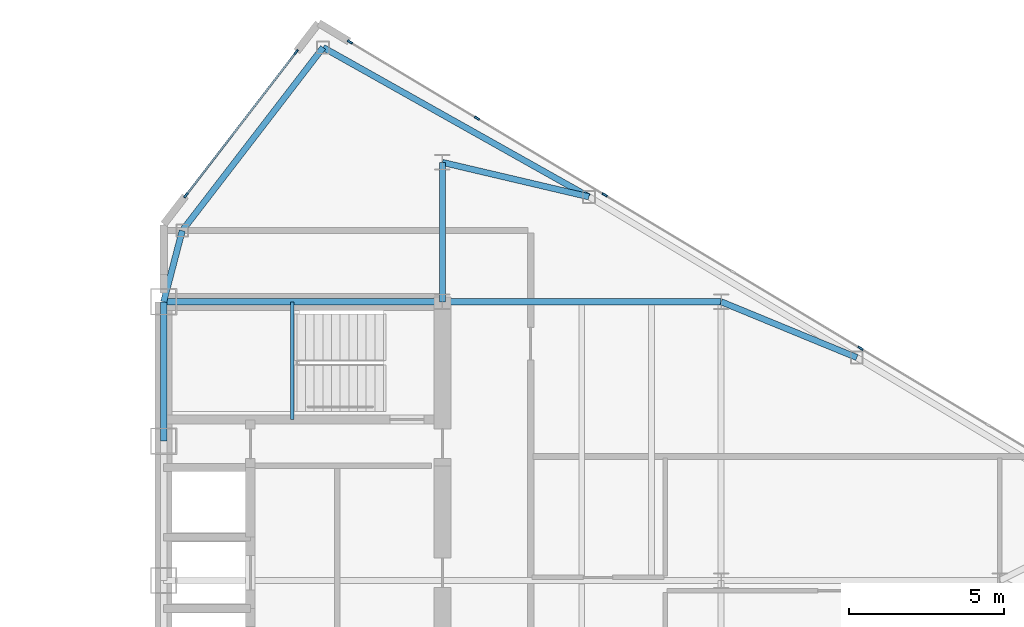
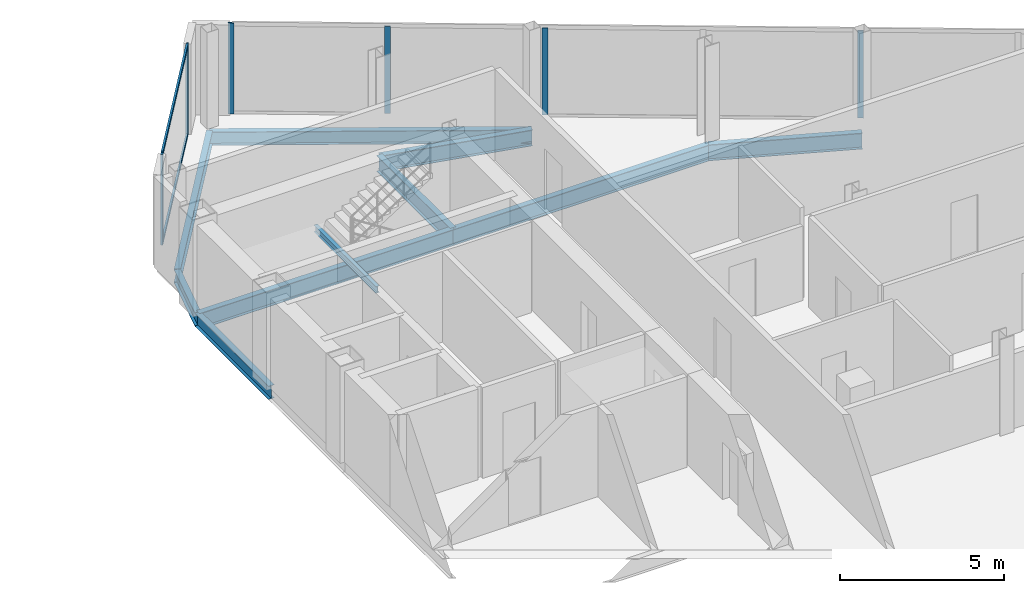
# One storey, part 15 of 25: 10 beams, 8 members, 2 elements without a shape of their own.
"""IFC4 building model written with IfcOpenShell, lengths in metres."""

from ifc_helpers import new_model, si_unit, direction, frame, origin, origin_2d, place, context, subcontext, project, spatial, rectangle, i_section, extrude, source, transform, mapped, material, layer, layer_set, material_profile, profile_set, type_object, type_shapes, element, aggregate, save


model = new_model("IFC4")

# Units and contexts
model_context = context("Model", 3, precision=1e-05, world=origin(), true_north=direction((0.0, 1.0)))
body_context = subcontext(model_context, "Body", "Model", "MODEL_VIEW")
ifc_project = project(units=[si_unit("LENGTHUNIT", "METRE"), si_unit("AREAUNIT", "SQUARE_METRE"), si_unit("VOLUMEUNIT", "CUBIC_METRE"), si_unit("PLANEANGLEUNIT", "RADIAN"), si_unit("MASSUNIT", "GRAM", prefix="KILO")], contexts=[model_context])

# Site, building, storey
site_placement = place(None, origin())
site = spatial("IfcSite", under=ifc_project, at=site_placement, CompositionType="ELEMENT")
building_placement = place(site_placement, origin())
building = spatial("IfcBuilding", under=site, at=building_placement, Name="Seokmaru Belvedere", CompositionType="ELEMENT")
storey_placement = place(building_placement, frame((0.0, 0.0, 203.10009765625)))
storey = spatial("IfcBuildingStorey", under=building, at=storey_placement, Name="L54", CompositionType="ELEMENT", Elevation=203.10009765625)

# Beams
ifc_material_1 = material(Name="Steel SM355 (355 MPa)", Category="steel")
ifc_material_profile_1 = material_profile(ifc_material_1, i_section(OverallWidth=0.199951171875, OverallDepth=0.5, WebThickness=0.010009765625, FlangeThickness=0.01611328125, at=origin_2d()), Name="H-500x200x10x16")
ifc_profile_set_1 = profile_set([ifc_material_profile_1], Name="Steel SM355 (355 MPa)")
beam_type_1 = type_object("IfcBeamType", Name="Perimeter Spandrel Beam H-500", PredefinedType="SPANDREL", material=ifc_profile_set_1)
shared_shape_1 = source(origin(), body_context, "Body", "SweptSolid", [
    extrude(i_section(OverallWidth=0.199951171875, OverallDepth=0.5, WebThickness=0.010009765625, FlangeThickness=0.01611328125, at=origin_2d()), origin(), (0.0, 0.0, 1.0), 4.5),
])
beam_1_placement = place(storey_placement, frame((27.5, 9.0, -0.47021484375), z_axis=(0.0, 1.0, 0.0), x_axis=(-1.0, 0.0, 0.0)))
element("IfcBeam", 1, at=beam_1_placement, inside=storey, type_object=beam_type_1, Name="L54 E Portal Spine Spandrel 5", PredefinedType="SPANDREL", context=body_context, shape_type="MappedRepresentation", body=[
    mapped(shared_shape_1, transform((0.0, 0.0, 0.0), scale=1.0)),
])
ifc_material_profile_2 = material_profile(ifc_material_1, i_section(OverallWidth=0.199951171875, OverallDepth=0.60009765625, WebThickness=0.010986328125, FlangeThickness=0.01708984375, at=origin_2d()), Name="H-600x200x11x17")
ifc_profile_set_2 = profile_set([ifc_material_profile_2], Name="Steel SM355 (355 MPa)")
beam_type_2 = type_object("IfcBeamType", Name="Primary Floor Girder H-600", PredefinedType="BEAM", material=ifc_profile_set_2)
shared_shape_2 = source(origin(), body_context, "Body", "SweptSolid", [
    extrude(i_section(OverallWidth=0.199951171875, OverallDepth=0.60009765625, WebThickness=0.010986328125, FlangeThickness=0.01708984375, at=origin_2d()), origin(), (0.0, 0.0, 1.0), 9.0),
])
for number, where, z_axis, x_axis, name in (
    (2, (27.5, 13.5, -0.52001953125), (1.0, 0.0, 0.0), (0.0, 1.0, 0.0), "L54 E Core Tie Girder 4"),
    (3, (36.5, 13.5, -0.52001953125), (1.0, 0.0, 0.0), (0.0, 1.0, 0.0), "L54 E Wing Primary Girder 4"),
):
    element("IfcBeam", number, at=place(storey_placement, frame(where, z_axis=z_axis, x_axis=x_axis)), inside=storey, type_object=beam_type_2, Name=name, PredefinedType="BEAM", context=body_context, shape_type="MappedRepresentation", body=[
        mapped(shared_shape_2, transform((0.0, 0.0, 0.0), scale=1.0)),
    ])
shared_shape_3 = source(origin(), body_context, "Body", "SweptSolid", [
    extrude(i_section(OverallWidth=0.199951171875, OverallDepth=0.60009765625, WebThickness=0.010986328125, FlangeThickness=0.01708984375, at=origin_2d()), origin(), (0.0, 0.0, 1.0), 4.5),
])
beam_2_placement = place(storey_placement, frame((36.5, 13.5, -0.52001953125), z_axis=(0.0, 1.0, 0.0), x_axis=(-1.0, 0.0, 0.0)))
element("IfcBeam", 4, at=beam_2_placement, inside=storey, type_object=beam_type_2, Name="L54 E Core Shoulder Girder N", PredefinedType="BEAM", context=body_context, shape_type="MappedRepresentation", body=[
    mapped(shared_shape_3, transform((0.0, 0.0, 0.0), scale=1.0)),
])
shared_shape_4 = source(origin(), body_context, "Body", "SweptSolid", [
    extrude(i_section(OverallWidth=0.199951171875, OverallDepth=0.5, WebThickness=0.010009765625, FlangeThickness=0.01611328125, at=origin_2d()), origin(), (0.0, 0.0, 1.0), 9.842041015625),
])
beam_3_placement = place(storey_placement, frame((32.649658203125, 21.71044921875, -0.47021484375), z_axis=(0.871782151818, -0.489893743349, 0.0), x_axis=(0.489893743349, 0.871782151818, 0.0)))
element("IfcBeam", 5, at=beam_3_placement, inside=storey, type_object=beam_type_1, Name="L54 E Faceted Flank Spandrel N-1", PredefinedType="SPANDREL", context=body_context, shape_type="MappedRepresentation", body=[
    mapped(shared_shape_4, transform((0.0, 0.0, 0.0), scale=1.0)),
])
shared_shape_5 = source(origin(), body_context, "Body", "SweptSolid", [
    extrude(i_section(OverallWidth=0.199951171875, OverallDepth=0.5, WebThickness=0.010009765625, FlangeThickness=0.01611328125, at=origin_2d()), origin(), (0.0, 0.0, 1.0), 7.4619140625),
])
beam_4_placement = place(storey_placement, frame((32.649658203125, 21.71044921875, -0.47021484375), z_axis=(-0.609702854945, -0.792630070507, 0.0), x_axis=(0.792630070507, -0.609702854945, 0.0)))
element("IfcBeam", 6, at=beam_4_placement, inside=storey, type_object=beam_type_1, Name="L54 E Shoulder Chamfer Spandrel N", PredefinedType="SPANDREL", context=body_context, shape_type="MappedRepresentation", body=[
    mapped(shared_shape_5, transform((0.0, 0.0, 0.0), scale=1.0)),
])
shared_shape_6 = source(origin(), body_context, "Body", "SweptSolid", [
    extrude(i_section(OverallWidth=0.199951171875, OverallDepth=0.5, WebThickness=0.010009765625, FlangeThickness=0.01611328125, at=origin_2d()), origin(), (0.0, 0.0, 1.0), 2.373046875),
])
type_shapes(beam_type_1, [shared_shape_1, shared_shape_4, shared_shape_5, shared_shape_6])
beam_5_placement = place(storey_placement, frame((28.10009765625, 15.7958984375, -0.47021484375), z_axis=(-0.252882558842, -0.967496982648, 0.0), x_axis=(0.967496982648, -0.252882558842, 0.0)))
element("IfcBeam", 7, at=beam_5_placement, inside=storey, type_object=beam_type_1, Name="L54 E Shoulder Spine Spandrel N", PredefinedType="SPANDREL", context=body_context, shape_type="MappedRepresentation", body=[
    mapped(shared_shape_6, transform((0.0, 0.0, 0.0), scale=1.0)),
])
shared_shape_7 = source(origin(), body_context, "Body", "SweptSolid", [
    extrude(i_section(OverallWidth=0.199951171875, OverallDepth=0.60009765625, WebThickness=0.010986328125, FlangeThickness=0.01708984375, at=origin_2d()), origin(), (0.0, 0.0, 1.0), 4.8583984375),
])
beam_6_placement = place(storey_placement, frame((41.229736328125, 16.888916015625, -0.52001953125), z_axis=(-0.97349948295, 0.228689214211, 0.0), x_axis=(-0.228689214211, -0.97349948295, 0.0)))
element("IfcBeam", 8, at=beam_6_placement, inside=storey, type_object=beam_type_2, Name="L54 E Flank Radial Floor Girder N-1", PredefinedType="BEAM", context=body_context, shape_type="MappedRepresentation", body=[
    mapped(shared_shape_7, transform((0.0, 0.0, 0.0), scale=1.0)),
])
shared_shape_8 = source(origin(), body_context, "Body", "SweptSolid", [
    extrude(i_section(OverallWidth=0.199951171875, OverallDepth=0.60009765625, WebThickness=0.010986328125, FlangeThickness=0.01708984375, at=origin_2d()), origin(), (0.0, 0.0, 1.0), 4.73583984375),
])
type_shapes(beam_type_2, [shared_shape_2, shared_shape_3, shared_shape_7, shared_shape_8])
beam_7_placement = place(storey_placement, frame((49.8798828125, 11.698974609375, -0.52001953125), z_axis=(-0.924860562953, 0.380306375301, 0.0), x_axis=(-0.380306375301, -0.924860562953, 0.0)))
element("IfcBeam", 9, at=beam_7_placement, inside=storey, type_object=beam_type_2, Name="L54 E Flank Radial Floor Girder N-2", PredefinedType="BEAM", context=body_context, shape_type="MappedRepresentation", body=[
    mapped(shared_shape_8, transform((0.0, 0.0, 0.0), scale=1.0)),
])

# Curtain wall, member
ifc_material_2 = material(Name="Bronze Triple Insulating Glass", Category="glass")
ifc_layer = layer(ifc_material_2, 0.179931640625)
ifc_layer_set = layer_set([ifc_layer], Name="Bronze Triple Insulating Glass")
curtain_wall_type = type_object("IfcCurtainWallType", Name="High-Rise Wind-Corner Curtain Wall System CW-5", PredefinedType="NOTDEFINED", material=ifc_layer_set)
curtain_wall_1_placement = place(storey_placement, origin())
curtain_wall_1 = element("IfcCurtainWall", 10, at=curtain_wall_1_placement, inside=storey, type_object=curtain_wall_type, Name="L54 Curtain Wall EF3", PredefinedType="NOTDEFINED")
ifc_material_3 = material(Name="Anodised Bronze Aluminium", Category="aluminium")
ifc_material_profile_3 = material_profile(ifc_material_3, rectangle(XDim=0.06494140625, YDim=0.179931640625, at=origin_2d()), Name="CW-M-65x180")
ifc_profile_set_3 = profile_set([ifc_material_profile_3], Name="Anodised Bronze Aluminium")
member_type_1 = type_object("IfcMemberType", Name="Bronze Unitised Mullion 65x180", PredefinedType="MULLION", material=ifc_profile_set_3)
shared_shape_9 = source(origin(), body_context, "Body", "SweptSolid", [
    extrude(rectangle(XDim=0.06494140625, YDim=0.179931640625, at=origin_2d()), origin(), (0.0, 0.0, 1.0), 3.3798828125),
])
member_1_placement = place(storey_placement, frame((33.513916015625, 21.8916015625, 0.0), z_axis=(0.0, 0.0, 1.0), x_axis=(-0.514494909364, -0.85749343335, 0.0)))
member_1 = element("IfcMember", 11, at=member_1_placement, type_object=member_type_1, Name="CW:L54:EF3 Mullion 9", PredefinedType="MULLION", context=body_context, shape_type="MappedRepresentation", body=[
    mapped(shared_shape_9, transform((0.0, 0.0, 0.0), scale=1.0)),
])

# Curtain wall, members
curtain_wall_2_placement = place(storey_placement, origin())
curtain_wall_2 = element("IfcCurtainWall", 12, at=curtain_wall_2_placement, inside=storey, type_object=curtain_wall_type, Name="L54 Curtain Wall EF4", PredefinedType="NOTDEFINED")
member_2_placement = place(storey_placement, frame((31.779052734375, 21.562744140625, 0.0), z_axis=(0.0, 0.0, 1.0), x_axis=(0.792631353244, -0.609701187349, 0.0)))
member_2 = element("IfcMember", 13, at=member_2_placement, type_object=member_type_1, Name="CW:L54:EF4 Mullion 1", PredefinedType="MULLION", context=body_context, shape_type="MappedRepresentation", body=[
    mapped(shared_shape_9, transform((0.0, 0.0, 0.0), scale=1.0)),
])
member_3_placement = place(storey_placement, frame((28.220947265625, 16.937255859375, 0.0), z_axis=(0.0, 0.0, 1.0), x_axis=(0.792631353244, -0.609701187349, 0.0)))
member_3 = element("IfcMember", 14, at=member_3_placement, type_object=member_type_1, Name="CW:L54:EF4 Mullion 2", PredefinedType="MULLION", context=body_context, shape_type="MappedRepresentation", body=[
    mapped(shared_shape_9, transform((0.0, 0.0, 0.0), scale=1.0)),
])

# Member
shared_shape_10 = source(origin(), body_context, "Body", "SweptSolid", [
    extrude(rectangle(XDim=0.06494140625, YDim=0.179931640625, at=origin_2d()), origin(), (0.0, 0.0, 1.0), 3.25),
])
type_shapes(member_type_1, [shared_shape_9, shared_shape_10])
member_4_placement = place(storey_placement, frame((50.0, 12.0, 0.06494140625), z_axis=(0.0, 0.0, 1.0), x_axis=(-0.514494909364, -0.85749343335, 0.0)))
member_4 = element("IfcMember", 15, at=member_4_placement, type_object=member_type_1, Name="CW:L54:EF3 Mullion 5", PredefinedType="MULLION", context=body_context, shape_type="MappedRepresentation", body=[
    mapped(shared_shape_10, transform((0.0, 0.0, 0.0), scale=1.0)),
])

member_5_placement = place(storey_placement, frame((41.742919921875, 16.9541015625, 0.06494140625), z_axis=(0.0, 0.0, 1.0), x_axis=(-0.514494909364, -0.85749343335, 0.0)))
member_5 = element("IfcMember", 16, at=member_5_placement, type_object=member_type_1, Name="CW:L54:EF3 Mullion 7", PredefinedType="MULLION", context=body_context, shape_type="MappedRepresentation", body=[
    mapped(shared_shape_10, transform((0.0, 0.0, 0.0), scale=1.0)),
])

member_6_placement = place(storey_placement, frame((37.614501953125, 19.43115234375, 0.06494140625), z_axis=(0.0, 0.0, 1.0), x_axis=(-0.514494909364, -0.85749343335, 0.0)))
member_6 = element("IfcMember", 17, at=member_6_placement, type_object=member_type_1, Name="CW:L54:EF3 Mullion 8", PredefinedType="MULLION", context=body_context, shape_type="MappedRepresentation", body=[
    mapped(shared_shape_10, transform((0.0, 0.0, 0.0), scale=1.0)),
])

aggregate(curtain_wall_1, [member_4, member_5, member_6, member_1])

ifc_material_profile_4 = material_profile(ifc_material_3, rectangle(XDim=0.06494140625, YDim=0.14990234375, at=origin_2d()), Name="CW-T-65x150")
ifc_profile_set_4 = profile_set([ifc_material_profile_4], Name="Anodised Bronze Aluminium")
member_type_2 = type_object("IfcMemberType", Name="Bronze Unitised Transom 65x150", PredefinedType="USERDEFINED", material=ifc_profile_set_4)
shared_shape_11 = source(origin(), body_context, "Body", "SweptSolid", [
    extrude(rectangle(XDim=0.06494140625, YDim=0.14990234375, at=origin_2d()), origin(), (0.0, 0.0, 1.0), 5.77099609375),
])
type_shapes(member_type_2, [shared_shape_11])
member_7_placement = place(storey_placement, frame((31.75927734375, 21.537109375, 0.032470703125), z_axis=(-0.60970258286, -0.792630279799, 0.0), x_axis=(0.792630279799, -0.60970258286, 0.0)))
member_7 = element("IfcMember", 18, at=member_7_placement, type_object=member_type_2, Name="CW:L54:EF4 Continuous Transom 1", ObjectType="TRANSOM", PredefinedType="USERDEFINED", context=body_context, shape_type="MappedRepresentation", body=[
    mapped(shared_shape_11, transform((0.0, 0.0, 0.0), scale=1.0)),
])

member_8_placement = place(storey_placement, frame((31.75927734375, 21.537109375, 3.347412109375), z_axis=(-0.60970258286, -0.792630279799, 0.0), x_axis=(0.792630279799, -0.60970258286, 0.0)))
member_8 = element("IfcMember", 19, at=member_8_placement, type_object=member_type_2, Name="CW:L54:EF4 Continuous Transom 2", ObjectType="TRANSOM", PredefinedType="USERDEFINED", context=body_context, shape_type="MappedRepresentation", body=[
    mapped(shared_shape_11, transform((0.0, 0.0, 0.0), scale=1.0)),
])

aggregate(curtain_wall_2, [member_2, member_3, member_7, member_8])

# Beam
ifc_material_profile_5 = material_profile(ifc_material_1, i_section(OverallWidth=0.125, OverallDepth=0.25, WebThickness=0.006103515625, FlangeThickness=0.009033203125, at=origin_2d()), Name="H-250x125x6x9")
ifc_profile_set_5 = profile_set([ifc_material_profile_5], Name="Steel SM355 (355 MPa)")
beam_type_3 = type_object("IfcBeamType", Name="Stair Mid-Landing Support Beam H-250", PredefinedType="JOIST", material=ifc_profile_set_5)
shared_shape_12 = source(origin(), body_context, "Body", "SweptSolid", [
    extrude(i_section(OverallWidth=0.125, OverallDepth=0.25, WebThickness=0.006103515625, FlangeThickness=0.009033203125, at=origin_2d()), origin(), (0.0, 0.0, 1.0), 3.800048828125),
])
type_shapes(beam_type_3, [shared_shape_12])
beam_8_placement = place(storey_placement, frame((31.64990234375, 9.699951171875, 1.474853515625), z_axis=(0.0, 1.0, 0.0), x_axis=(-1.0, 0.0, 0.0)))
element("IfcBeam", 20, at=beam_8_placement, inside=storey, type_object=beam_type_3, Name="L54 Stair ST-E2 Mid-Landing Support Beam 1", PredefinedType="JOIST", context=body_context, shape_type="MappedRepresentation", body=[
    mapped(shared_shape_12, transform((0.0, 0.0, 0.0), scale=1.0)),
])

save(model, "model.ifc")
